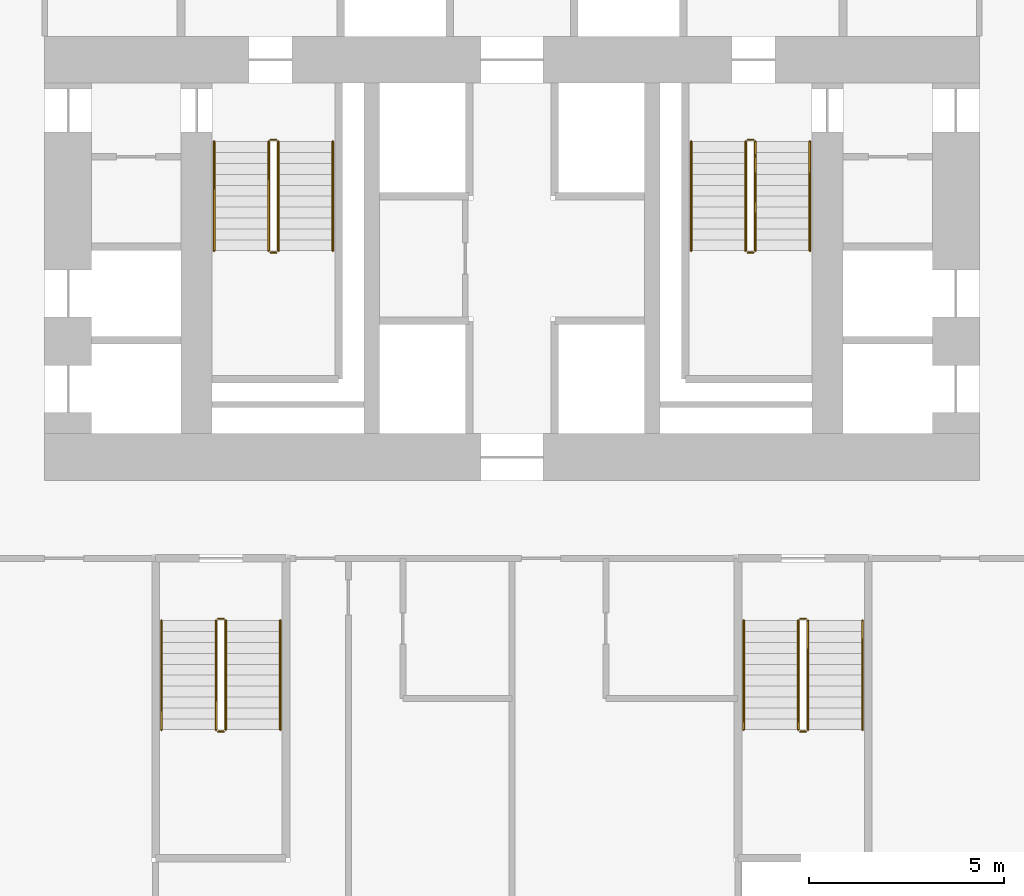
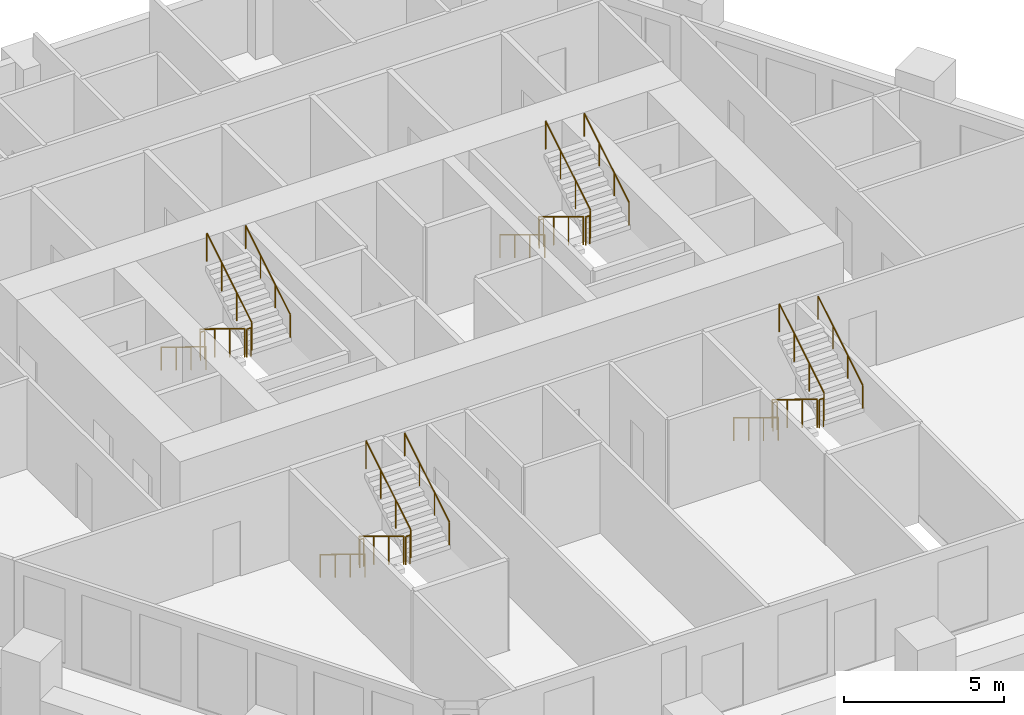
# One storey, part 8 of 8: 24 railings.
"""IFC4 building model written with IfcOpenShell, lengths in metres."""

from ifc_helpers import new_model, si_unit, direction, frame, origin, origin_2d, place, context, subcontext, project, spatial, circle, extrude, material, type_object, element, save


model = new_model("IFC4")

# Units and contexts
model_context = context("Model", 3, precision=1e-05, world=origin(), true_north=direction((0.0, 1.0)))
body_context = subcontext(model_context, "Body", "Model", "MODEL_VIEW")
ifc_project = project(units=[si_unit("LENGTHUNIT", "METRE"), si_unit("AREAUNIT", "SQUARE_METRE"), si_unit("VOLUMEUNIT", "CUBIC_METRE"), si_unit("PLANEANGLEUNIT", "RADIAN"), si_unit("MASSUNIT", "GRAM", prefix="KILO")], contexts=[model_context])

# Site, building, storey
site_placement = place(None, origin())
site = spatial("IfcSite", under=ifc_project, at=site_placement, CompositionType="ELEMENT")
building_placement = place(site_placement, origin())
building = spatial("IfcBuilding", under=site, at=building_placement, Name="Ostrander Bayou Hotel Tower", CompositionType="ELEMENT")
storey_placement = place(building_placement, frame((0.0, 0.0, 61.75)))
storey = spatial("IfcBuildingStorey", under=building, at=storey_placement, Name="L15", CompositionType="ELEMENT", Elevation=61.75)

# Railings
ifc_material_1 = material(Name="Steel ASTM A500 Gr C", Category="steel")
railing_type_1 = type_object("IfcRailingType", Name="GR1 stair guard 1100 mm steel", PredefinedType="GUARDRAIL", material=ifc_material_1)
railing_1_placement = place(storey_placement, frame((-6.25, 7.0, 0.17041015625)))
element("IfcRailing", 1, at=railing_1_placement, inside=storey, type_object=railing_type_1, Name="L15 STA stair guard 1", PredefinedType="GUARDRAIL", context=body_context, shape_type="SweptSolid", body=[
    extrude(circle(Radius=0.02392578125, at=origin_2d()), frame((0.0, 0.0, 1.076171875), z_axis=(0.0, -0.854169791009, 0.51999420009), x_axis=(1.0, 0.0, 0.0)), (0.0, 0.0, 1.0), 3.278076171875),
    extrude(circle(Radius=0.02099609375, at=origin_2d()), origin(), (0.0, 0.0, 1.0), 1.052001953125),
    extrude(circle(Radius=0.02099609375, at=origin_2d()), frame((0.0, -0.933349609375, 0.568115234375)), (0.0, 0.0, 1.0), 1.052001953125),
    extrude(circle(Radius=0.02099609375, at=origin_2d()), frame((0.0, -1.86669921875, 1.136474609375)), (0.0, 0.0, 1.0), 1.052001953125),
    extrude(circle(Radius=0.02099609375, at=origin_2d()), frame((0.0, -2.800048828125, 1.70458984375)), (0.0, 0.0, 1.0), 1.052001953125),
])
railing_2_placement = place(storey_placement, frame((-6.199951171875, 4.14990234375, 1.875)))
element("IfcRailing", 2, at=railing_2_placement, inside=storey, type_object=railing_type_1, Name="L15 STA stair guard 2", PredefinedType="GUARDRAIL", context=body_context, shape_type="SweptSolid", body=[
    extrude(circle(Radius=0.02392578125, at=origin_2d()), frame((0.0, 0.0, 1.076171875), z_axis=(1.0, 0.0, 0.0), x_axis=(0.0, 1.0, 0.0)), (0.0, 0.0, 1.0), 0.14990234375),
    extrude(circle(Radius=0.02099609375, at=origin_2d()), origin(), (0.0, 0.0, 1.0), 1.052001953125),
    extrude(circle(Radius=0.02099609375, at=origin_2d()), frame((0.14990234375, 0.0, 0.0)), (0.0, 0.0, 1.0), 1.052001953125),
])
railing_3_placement = place(storey_placement, frame((-6.0, 4.199951171875, 2.04541015625)))
element("IfcRailing", 3, at=railing_3_placement, inside=storey, type_object=railing_type_1, Name="L15 STA stair guard 3", PredefinedType="GUARDRAIL", context=body_context, shape_type="SweptSolid", body=[
    extrude(circle(Radius=0.02392578125, at=origin_2d()), frame((0.0, 0.0, 1.076171875), z_axis=(0.0, 0.854169791009, 0.51999420009), x_axis=(-1.0, 0.0, 0.0)), (0.0, 0.0, 1.0), 3.278076171875),
    extrude(circle(Radius=0.02099609375, at=origin_2d()), origin(), (0.0, 0.0, 1.0), 1.052001953125),
    extrude(circle(Radius=0.02099609375, at=origin_2d()), frame((0.0, 0.933349609375, 0.568115234375)), (0.0, 0.0, 1.0), 1.052001953125),
    extrude(circle(Radius=0.02099609375, at=origin_2d()), frame((0.0, 1.86669921875, 1.136474609375)), (0.0, 0.0, 1.0), 1.052001953125),
    extrude(circle(Radius=0.02099609375, at=origin_2d()), frame((0.0, 2.800048828125, 1.70458984375)), (0.0, 0.0, 1.0), 1.052001953125),
])
railing_4_placement = place(storey_placement, frame((-6.199951171875, 7.050048828125, 0.0)))
element("IfcRailing", 4, at=railing_4_placement, inside=storey, type_object=railing_type_1, Name="L15 STA stair guard 4", PredefinedType="GUARDRAIL", context=body_context, shape_type="SweptSolid", body=[
    extrude(circle(Radius=0.02392578125, at=origin_2d()), frame((0.0, 0.0, 1.076171875), z_axis=(1.0, 0.0, 0.0), x_axis=(0.0, 1.0, 0.0)), (0.0, 0.0, 1.0), 0.14990234375),
    extrude(circle(Radius=0.02099609375, at=origin_2d()), origin(), (0.0, 0.0, 1.0), 1.052001953125),
    extrude(circle(Radius=0.02099609375, at=origin_2d()), frame((0.14990234375, 0.0, 0.0)), (0.0, 0.0, 1.0), 1.052001953125),
])
railing_5_placement = place(storey_placement, frame((6.0, 7.0, 0.17041015625)))
element("IfcRailing", 5, at=railing_5_placement, inside=storey, type_object=railing_type_1, Name="L15 STB stair guard 1", PredefinedType="GUARDRAIL", context=body_context, shape_type="SweptSolid", body=[
    extrude(circle(Radius=0.02392578125, at=origin_2d()), frame((0.0, 0.0, 1.076171875), z_axis=(0.0, -0.854169791009, 0.51999420009), x_axis=(1.0, 0.0, 0.0)), (0.0, 0.0, 1.0), 3.278076171875),
    extrude(circle(Radius=0.02099609375, at=origin_2d()), origin(), (0.0, 0.0, 1.0), 1.052001953125),
    extrude(circle(Radius=0.02099609375, at=origin_2d()), frame((0.0, -0.933349609375, 0.568115234375)), (0.0, 0.0, 1.0), 1.052001953125),
    extrude(circle(Radius=0.02099609375, at=origin_2d()), frame((0.0, -1.86669921875, 1.136474609375)), (0.0, 0.0, 1.0), 1.052001953125),
    extrude(circle(Radius=0.02099609375, at=origin_2d()), frame((0.0, -2.800048828125, 1.70458984375)), (0.0, 0.0, 1.0), 1.052001953125),
])
railing_6_placement = place(storey_placement, frame((6.050048828125, 4.14990234375, 1.875)))
element("IfcRailing", 6, at=railing_6_placement, inside=storey, type_object=railing_type_1, Name="L15 STB stair guard 2", PredefinedType="GUARDRAIL", context=body_context, shape_type="SweptSolid", body=[
    extrude(circle(Radius=0.02392578125, at=origin_2d()), frame((0.0, 0.0, 1.076171875), z_axis=(1.0, 0.0, 0.0), x_axis=(0.0, 1.0, 0.0)), (0.0, 0.0, 1.0), 0.14990234375),
    extrude(circle(Radius=0.02099609375, at=origin_2d()), origin(), (0.0, 0.0, 1.0), 1.052001953125),
    extrude(circle(Radius=0.02099609375, at=origin_2d()), frame((0.14990234375, 0.0, 0.0)), (0.0, 0.0, 1.0), 1.052001953125),
])
railing_7_placement = place(storey_placement, frame((6.25, 4.199951171875, 2.04541015625)))
element("IfcRailing", 7, at=railing_7_placement, inside=storey, type_object=railing_type_1, Name="L15 STB stair guard 3", PredefinedType="GUARDRAIL", context=body_context, shape_type="SweptSolid", body=[
    extrude(circle(Radius=0.02392578125, at=origin_2d()), frame((0.0, 0.0, 1.076171875), z_axis=(0.0, 0.854169791009, 0.51999420009), x_axis=(-1.0, 0.0, 0.0)), (0.0, 0.0, 1.0), 3.278076171875),
    extrude(circle(Radius=0.02099609375, at=origin_2d()), origin(), (0.0, 0.0, 1.0), 1.052001953125),
    extrude(circle(Radius=0.02099609375, at=origin_2d()), frame((0.0, 0.933349609375, 0.568115234375)), (0.0, 0.0, 1.0), 1.052001953125),
    extrude(circle(Radius=0.02099609375, at=origin_2d()), frame((0.0, 1.86669921875, 1.136474609375)), (0.0, 0.0, 1.0), 1.052001953125),
    extrude(circle(Radius=0.02099609375, at=origin_2d()), frame((0.0, 2.800048828125, 1.70458984375)), (0.0, 0.0, 1.0), 1.052001953125),
])
railing_8_placement = place(storey_placement, frame((6.050048828125, 7.050048828125, 0.0)))
element("IfcRailing", 8, at=railing_8_placement, inside=storey, type_object=railing_type_1, Name="L15 STB stair guard 4", PredefinedType="GUARDRAIL", context=body_context, shape_type="SweptSolid", body=[
    extrude(circle(Radius=0.02392578125, at=origin_2d()), frame((0.0, 0.0, 1.076171875), z_axis=(1.0, 0.0, 0.0), x_axis=(0.0, 1.0, 0.0)), (0.0, 0.0, 1.0), 0.14990234375),
    extrude(circle(Radius=0.02099609375, at=origin_2d()), origin(), (0.0, 0.0, 1.0), 1.052001953125),
    extrude(circle(Radius=0.02099609375, at=origin_2d()), frame((0.14990234375, 0.0, 0.0)), (0.0, 0.0, 1.0), 1.052001953125),
])
railing_9_placement = place(storey_placement, frame((7.35009765625, -5.300048828125, 0.17041015625)))
element("IfcRailing", 9, at=railing_9_placement, inside=storey, type_object=railing_type_1, Name="L15 STC stair guard 1", PredefinedType="GUARDRAIL", context=body_context, shape_type="SweptSolid", body=[
    extrude(circle(Radius=0.02392578125, at=origin_2d()), frame((0.0, 0.0, 1.076171875), z_axis=(0.0, -0.854169791009, 0.51999420009), x_axis=(1.0, 0.0, 0.0)), (0.0, 0.0, 1.0), 3.278076171875),
    extrude(circle(Radius=0.02099609375, at=origin_2d()), origin(), (0.0, 0.0, 1.0), 1.052001953125),
    extrude(circle(Radius=0.02099609375, at=origin_2d()), frame((0.0, -0.933349609375, 0.568115234375)), (0.0, 0.0, 1.0), 1.052001953125),
    extrude(circle(Radius=0.02099609375, at=origin_2d()), frame((0.0, -1.86669921875, 1.136474609375)), (0.0, 0.0, 1.0), 1.052001953125),
    extrude(circle(Radius=0.02099609375, at=origin_2d()), frame((0.0, -2.800048828125, 1.70458984375)), (0.0, 0.0, 1.0), 1.052001953125),
])
railing_10_placement = place(storey_placement, frame((7.39990234375, -8.14990234375, 1.875)))
element("IfcRailing", 10, at=railing_10_placement, inside=storey, type_object=railing_type_1, Name="L15 STC stair guard 2", PredefinedType="GUARDRAIL", context=body_context, shape_type="SweptSolid", body=[
    extrude(circle(Radius=0.02392578125, at=origin_2d()), frame((0.0, 0.0, 1.076171875), z_axis=(1.0, 0.0, 0.0), x_axis=(0.0, 1.0, 0.0)), (0.0, 0.0, 1.0), 0.150146484375),
    extrude(circle(Radius=0.02099609375, at=origin_2d()), origin(), (0.0, 0.0, 1.0), 1.052001953125),
    extrude(circle(Radius=0.02099609375, at=origin_2d()), frame((0.150146484375, 0.0, 0.0)), (0.0, 0.0, 1.0), 1.052001953125),
])
railing_11_placement = place(storey_placement, frame((7.60009765625, -8.10009765625, 2.04541015625)))
element("IfcRailing", 11, at=railing_11_placement, inside=storey, type_object=railing_type_1, Name="L15 STC stair guard 3", PredefinedType="GUARDRAIL", context=body_context, shape_type="SweptSolid", body=[
    extrude(circle(Radius=0.02392578125, at=origin_2d()), frame((0.0, 0.0, 1.076171875), z_axis=(0.0, 0.854169791009, 0.51999420009), x_axis=(-1.0, 0.0, 0.0)), (0.0, 0.0, 1.0), 3.278076171875),
    extrude(circle(Radius=0.02099609375, at=origin_2d()), origin(), (0.0, 0.0, 1.0), 1.052001953125),
    extrude(circle(Radius=0.02099609375, at=origin_2d()), frame((0.0, 0.933349609375, 0.568115234375)), (0.0, 0.0, 1.0), 1.052001953125),
    extrude(circle(Radius=0.02099609375, at=origin_2d()), frame((0.0, 1.86669921875, 1.136474609375)), (0.0, 0.0, 1.0), 1.052001953125),
    extrude(circle(Radius=0.02099609375, at=origin_2d()), frame((0.0, 2.800048828125, 1.70458984375)), (0.0, 0.0, 1.0), 1.052001953125),
])
railing_12_placement = place(storey_placement, frame((7.39990234375, -5.25, 0.0)))
element("IfcRailing", 12, at=railing_12_placement, inside=storey, type_object=railing_type_1, Name="L15 STC stair guard 4", PredefinedType="GUARDRAIL", context=body_context, shape_type="SweptSolid", body=[
    extrude(circle(Radius=0.02392578125, at=origin_2d()), frame((0.0, 0.0, 1.076171875), z_axis=(1.0, 0.0, 0.0), x_axis=(0.0, 1.0, 0.0)), (0.0, 0.0, 1.0), 0.150146484375),
    extrude(circle(Radius=0.02099609375, at=origin_2d()), origin(), (0.0, 0.0, 1.0), 1.052001953125),
    extrude(circle(Radius=0.02099609375, at=origin_2d()), frame((0.150146484375, 0.0, 0.0)), (0.0, 0.0, 1.0), 1.052001953125),
])
railing_13_placement = place(storey_placement, frame((-7.60009765625, -5.300048828125, 0.17041015625)))
element("IfcRailing", 13, at=railing_13_placement, inside=storey, type_object=railing_type_1, Name="L15 STD stair guard 1", PredefinedType="GUARDRAIL", context=body_context, shape_type="SweptSolid", body=[
    extrude(circle(Radius=0.02392578125, at=origin_2d()), frame((0.0, 0.0, 1.076171875), z_axis=(0.0, -0.854169791009, 0.51999420009), x_axis=(1.0, 0.0, 0.0)), (0.0, 0.0, 1.0), 3.278076171875),
    extrude(circle(Radius=0.02099609375, at=origin_2d()), origin(), (0.0, 0.0, 1.0), 1.052001953125),
    extrude(circle(Radius=0.02099609375, at=origin_2d()), frame((0.0, -0.933349609375, 0.568115234375)), (0.0, 0.0, 1.0), 1.052001953125),
    extrude(circle(Radius=0.02099609375, at=origin_2d()), frame((0.0, -1.86669921875, 1.136474609375)), (0.0, 0.0, 1.0), 1.052001953125),
    extrude(circle(Radius=0.02099609375, at=origin_2d()), frame((0.0, -2.800048828125, 1.70458984375)), (0.0, 0.0, 1.0), 1.052001953125),
])
railing_14_placement = place(storey_placement, frame((-7.550048828125, -8.14990234375, 1.875)))
element("IfcRailing", 14, at=railing_14_placement, inside=storey, type_object=railing_type_1, Name="L15 STD stair guard 2", PredefinedType="GUARDRAIL", context=body_context, shape_type="SweptSolid", body=[
    extrude(circle(Radius=0.02392578125, at=origin_2d()), frame((0.0, 0.0, 1.076171875), z_axis=(1.0, 0.0, 0.0), x_axis=(0.0, 1.0, 0.0)), (0.0, 0.0, 1.0), 0.150146484375),
    extrude(circle(Radius=0.02099609375, at=origin_2d()), origin(), (0.0, 0.0, 1.0), 1.052001953125),
    extrude(circle(Radius=0.02099609375, at=origin_2d()), frame((0.150146484375, 0.0, 0.0)), (0.0, 0.0, 1.0), 1.052001953125),
])
railing_15_placement = place(storey_placement, frame((-7.35009765625, -8.10009765625, 2.04541015625)))
element("IfcRailing", 15, at=railing_15_placement, inside=storey, type_object=railing_type_1, Name="L15 STD stair guard 3", PredefinedType="GUARDRAIL", context=body_context, shape_type="SweptSolid", body=[
    extrude(circle(Radius=0.02392578125, at=origin_2d()), frame((0.0, 0.0, 1.076171875), z_axis=(0.0, 0.854169791009, 0.51999420009), x_axis=(-1.0, 0.0, 0.0)), (0.0, 0.0, 1.0), 3.278076171875),
    extrude(circle(Radius=0.02099609375, at=origin_2d()), origin(), (0.0, 0.0, 1.0), 1.052001953125),
    extrude(circle(Radius=0.02099609375, at=origin_2d()), frame((0.0, 0.933349609375, 0.568115234375)), (0.0, 0.0, 1.0), 1.052001953125),
    extrude(circle(Radius=0.02099609375, at=origin_2d()), frame((0.0, 1.86669921875, 1.136474609375)), (0.0, 0.0, 1.0), 1.052001953125),
    extrude(circle(Radius=0.02099609375, at=origin_2d()), frame((0.0, 2.800048828125, 1.70458984375)), (0.0, 0.0, 1.0), 1.052001953125),
])
railing_16_placement = place(storey_placement, frame((-7.550048828125, -5.25, 0.0)))
element("IfcRailing", 16, at=railing_16_placement, inside=storey, type_object=railing_type_1, Name="L15 STD stair guard 4", PredefinedType="GUARDRAIL", context=body_context, shape_type="SweptSolid", body=[
    extrude(circle(Radius=0.02392578125, at=origin_2d()), frame((0.0, 0.0, 1.076171875), z_axis=(1.0, 0.0, 0.0), x_axis=(0.0, 1.0, 0.0)), (0.0, 0.0, 1.0), 0.150146484375),
    extrude(circle(Radius=0.02099609375, at=origin_2d()), origin(), (0.0, 0.0, 1.0), 1.052001953125),
    extrude(circle(Radius=0.02099609375, at=origin_2d()), frame((0.150146484375, 0.0, 0.0)), (0.0, 0.0, 1.0), 1.052001953125),
])
ifc_material_2 = material(Name="Steel ASTM A500 Gr C", Category="steel")
railing_type_2 = type_object("IfcRailingType", Name="HR1 stair handrail 900 mm steel", PredefinedType="HANDRAIL", material=ifc_material_2)
railing_17_placement = place(storey_placement, frame((-7.64990234375, 7.0, 0.17041015625)))
element("IfcRailing", 17, at=railing_17_placement, inside=storey, type_object=railing_type_2, Name="L15 STA stair handrail 1", PredefinedType="HANDRAIL", context=body_context, shape_type="SweptSolid", body=[
    extrude(circle(Radius=0.02392578125, at=origin_2d()), frame((0.0, 0.0, 0.8759765625), z_axis=(0.0, -0.854169791009, 0.51999420009), x_axis=(1.0, 0.0, 0.0)), (0.0, 0.0, 1.0), 3.278076171875),
    extrude(circle(Radius=0.02099609375, at=origin_2d()), origin(), (0.0, 0.0, 1.0), 0.851806640625),
    extrude(circle(Radius=0.02099609375, at=origin_2d()), frame((0.0, -0.933349609375, 0.568115234375)), (0.0, 0.0, 1.0), 0.851806640625),
    extrude(circle(Radius=0.02099609375, at=origin_2d()), frame((0.0, -1.86669921875, 1.136474609375)), (0.0, 0.0, 1.0), 0.851806640625),
    extrude(circle(Radius=0.02099609375, at=origin_2d()), frame((0.0, -2.800048828125, 1.70458984375)), (0.0, 0.0, 1.0), 0.851806640625),
])
railing_18_placement = place(storey_placement, frame((-4.60009765625, 4.199951171875, 2.04541015625)))
element("IfcRailing", 18, at=railing_18_placement, inside=storey, type_object=railing_type_2, Name="L15 STA stair handrail 2", PredefinedType="HANDRAIL", context=body_context, shape_type="SweptSolid", body=[
    extrude(circle(Radius=0.02392578125, at=origin_2d()), frame((0.0, 0.0, 0.8759765625), z_axis=(0.0, 0.854169791009, 0.51999420009), x_axis=(-1.0, 0.0, 0.0)), (0.0, 0.0, 1.0), 3.278076171875),
    extrude(circle(Radius=0.02099609375, at=origin_2d()), origin(), (0.0, 0.0, 1.0), 0.851806640625),
    extrude(circle(Radius=0.02099609375, at=origin_2d()), frame((0.0, 0.933349609375, 0.568115234375)), (0.0, 0.0, 1.0), 0.851806640625),
    extrude(circle(Radius=0.02099609375, at=origin_2d()), frame((0.0, 1.86669921875, 1.136474609375)), (0.0, 0.0, 1.0), 0.851806640625),
    extrude(circle(Radius=0.02099609375, at=origin_2d()), frame((0.0, 2.800048828125, 1.70458984375)), (0.0, 0.0, 1.0), 0.851806640625),
])
railing_19_placement = place(storey_placement, frame((4.60009765625, 7.0, 0.17041015625)))
element("IfcRailing", 19, at=railing_19_placement, inside=storey, type_object=railing_type_2, Name="L15 STB stair handrail 1", PredefinedType="HANDRAIL", context=body_context, shape_type="SweptSolid", body=[
    extrude(circle(Radius=0.02392578125, at=origin_2d()), frame((0.0, 0.0, 0.8759765625), z_axis=(0.0, -0.854169791009, 0.51999420009), x_axis=(1.0, 0.0, 0.0)), (0.0, 0.0, 1.0), 3.278076171875),
    extrude(circle(Radius=0.02099609375, at=origin_2d()), origin(), (0.0, 0.0, 1.0), 0.851806640625),
    extrude(circle(Radius=0.02099609375, at=origin_2d()), frame((0.0, -0.933349609375, 0.568115234375)), (0.0, 0.0, 1.0), 0.851806640625),
    extrude(circle(Radius=0.02099609375, at=origin_2d()), frame((0.0, -1.86669921875, 1.136474609375)), (0.0, 0.0, 1.0), 0.851806640625),
    extrude(circle(Radius=0.02099609375, at=origin_2d()), frame((0.0, -2.800048828125, 1.70458984375)), (0.0, 0.0, 1.0), 0.851806640625),
])
railing_20_placement = place(storey_placement, frame((7.64990234375, 4.199951171875, 2.04541015625)))
element("IfcRailing", 20, at=railing_20_placement, inside=storey, type_object=railing_type_2, Name="L15 STB stair handrail 2", PredefinedType="HANDRAIL", context=body_context, shape_type="SweptSolid", body=[
    extrude(circle(Radius=0.02392578125, at=origin_2d()), frame((0.0, 0.0, 0.8759765625), z_axis=(0.0, 0.854169791009, 0.51999420009), x_axis=(-1.0, 0.0, 0.0)), (0.0, 0.0, 1.0), 3.278076171875),
    extrude(circle(Radius=0.02099609375, at=origin_2d()), origin(), (0.0, 0.0, 1.0), 0.851806640625),
    extrude(circle(Radius=0.02099609375, at=origin_2d()), frame((0.0, 0.933349609375, 0.568115234375)), (0.0, 0.0, 1.0), 0.851806640625),
    extrude(circle(Radius=0.02099609375, at=origin_2d()), frame((0.0, 1.86669921875, 1.136474609375)), (0.0, 0.0, 1.0), 0.851806640625),
    extrude(circle(Radius=0.02099609375, at=origin_2d()), frame((0.0, 2.800048828125, 1.70458984375)), (0.0, 0.0, 1.0), 0.851806640625),
])
railing_21_placement = place(storey_placement, frame((5.949951171875, -5.300048828125, 0.17041015625)))
element("IfcRailing", 21, at=railing_21_placement, inside=storey, type_object=railing_type_2, Name="L15 STC stair handrail 1", PredefinedType="HANDRAIL", context=body_context, shape_type="SweptSolid", body=[
    extrude(circle(Radius=0.02392578125, at=origin_2d()), frame((0.0, 0.0, 0.8759765625), z_axis=(0.0, -0.854169791009, 0.51999420009), x_axis=(1.0, 0.0, 0.0)), (0.0, 0.0, 1.0), 3.278076171875),
    extrude(circle(Radius=0.02099609375, at=origin_2d()), origin(), (0.0, 0.0, 1.0), 0.851806640625),
    extrude(circle(Radius=0.02099609375, at=origin_2d()), frame((0.0, -0.933349609375, 0.568115234375)), (0.0, 0.0, 1.0), 0.851806640625),
    extrude(circle(Radius=0.02099609375, at=origin_2d()), frame((0.0, -1.86669921875, 1.136474609375)), (0.0, 0.0, 1.0), 0.851806640625),
    extrude(circle(Radius=0.02099609375, at=origin_2d()), frame((0.0, -2.800048828125, 1.70458984375)), (0.0, 0.0, 1.0), 0.851806640625),
])
railing_22_placement = place(storey_placement, frame((9.0, -8.10009765625, 2.04541015625)))
element("IfcRailing", 22, at=railing_22_placement, inside=storey, type_object=railing_type_2, Name="L15 STC stair handrail 2", PredefinedType="HANDRAIL", context=body_context, shape_type="SweptSolid", body=[
    extrude(circle(Radius=0.02392578125, at=origin_2d()), frame((0.0, 0.0, 0.8759765625), z_axis=(0.0, 0.854169791009, 0.51999420009), x_axis=(-1.0, 0.0, 0.0)), (0.0, 0.0, 1.0), 3.278076171875),
    extrude(circle(Radius=0.02099609375, at=origin_2d()), origin(), (0.0, 0.0, 1.0), 0.851806640625),
    extrude(circle(Radius=0.02099609375, at=origin_2d()), frame((0.0, 0.933349609375, 0.568115234375)), (0.0, 0.0, 1.0), 0.851806640625),
    extrude(circle(Radius=0.02099609375, at=origin_2d()), frame((0.0, 1.86669921875, 1.136474609375)), (0.0, 0.0, 1.0), 0.851806640625),
    extrude(circle(Radius=0.02099609375, at=origin_2d()), frame((0.0, 2.800048828125, 1.70458984375)), (0.0, 0.0, 1.0), 0.851806640625),
])
railing_23_placement = place(storey_placement, frame((-9.0, -5.300048828125, 0.17041015625)))
element("IfcRailing", 23, at=railing_23_placement, inside=storey, type_object=railing_type_2, Name="L15 STD stair handrail 1", PredefinedType="HANDRAIL", context=body_context, shape_type="SweptSolid", body=[
    extrude(circle(Radius=0.02392578125, at=origin_2d()), frame((0.0, 0.0, 0.8759765625), z_axis=(0.0, -0.854169791009, 0.51999420009), x_axis=(1.0, 0.0, 0.0)), (0.0, 0.0, 1.0), 3.278076171875),
    extrude(circle(Radius=0.02099609375, at=origin_2d()), origin(), (0.0, 0.0, 1.0), 0.851806640625),
    extrude(circle(Radius=0.02099609375, at=origin_2d()), frame((0.0, -0.933349609375, 0.568115234375)), (0.0, 0.0, 1.0), 0.851806640625),
    extrude(circle(Radius=0.02099609375, at=origin_2d()), frame((0.0, -1.86669921875, 1.136474609375)), (0.0, 0.0, 1.0), 0.851806640625),
    extrude(circle(Radius=0.02099609375, at=origin_2d()), frame((0.0, -2.800048828125, 1.70458984375)), (0.0, 0.0, 1.0), 0.851806640625),
])
railing_24_placement = place(storey_placement, frame((-5.949951171875, -8.10009765625, 2.04541015625)))
element("IfcRailing", 24, at=railing_24_placement, inside=storey, type_object=railing_type_2, Name="L15 STD stair handrail 2", PredefinedType="HANDRAIL", context=body_context, shape_type="SweptSolid", body=[
    extrude(circle(Radius=0.02392578125, at=origin_2d()), frame((0.0, 0.0, 0.8759765625), z_axis=(0.0, 0.854169791009, 0.51999420009), x_axis=(-1.0, 0.0, 0.0)), (0.0, 0.0, 1.0), 3.278076171875),
    extrude(circle(Radius=0.02099609375, at=origin_2d()), origin(), (0.0, 0.0, 1.0), 0.851806640625),
    extrude(circle(Radius=0.02099609375, at=origin_2d()), frame((0.0, 0.933349609375, 0.568115234375)), (0.0, 0.0, 1.0), 0.851806640625),
    extrude(circle(Radius=0.02099609375, at=origin_2d()), frame((0.0, 1.86669921875, 1.136474609375)), (0.0, 0.0, 1.0), 0.851806640625),
    extrude(circle(Radius=0.02099609375, at=origin_2d()), frame((0.0, 2.800048828125, 1.70458984375)), (0.0, 0.0, 1.0), 0.851806640625),
])

save(model, "model.ifc")
